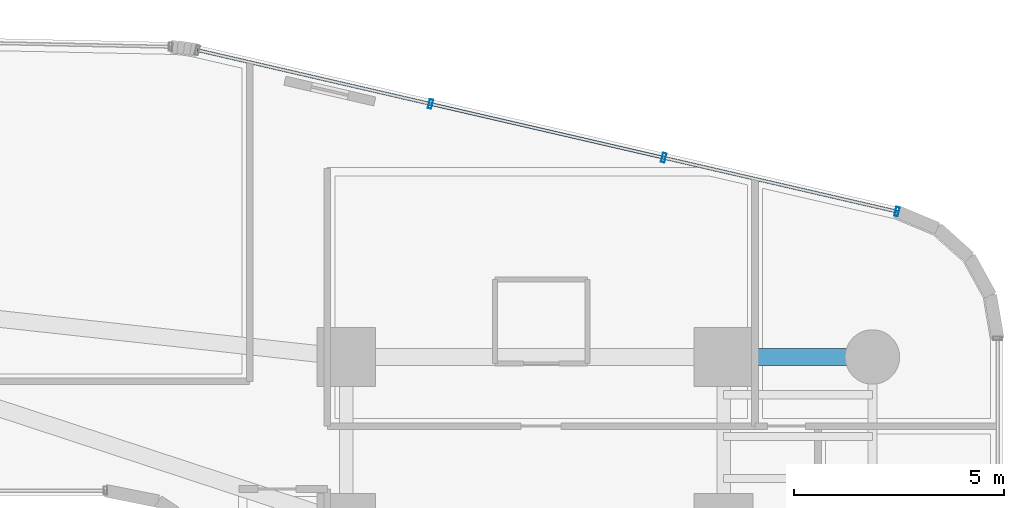
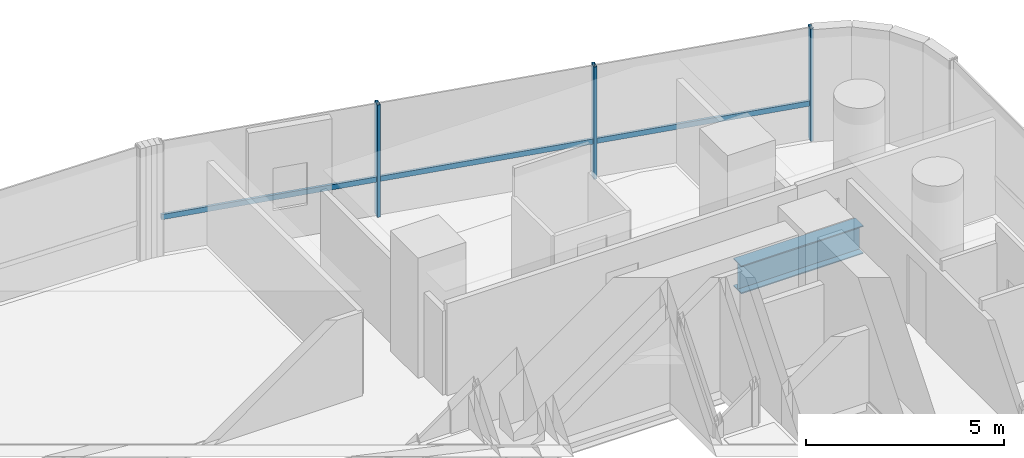
# One storey, part 24 of 40: 4 members, 1 beam, 1 element without a shape of its own.
"""IFC4 building model written with IfcOpenShell, lengths in metres."""

from ifc_helpers import new_model, si_unit, direction, frame, origin, origin_2d, place, context, subcontext, project, spatial, hollow_rectangle, i_section, extrude, source, transform, mapped, material, material_profile, profile_set, type_object, element, aggregate, save


model = new_model("IFC4")

# Units and contexts
model_context = context("Model", 3, precision=1e-05, world=origin(), true_north=direction((0.0, 1.0)))
body_context = subcontext(model_context, "Body", "Model", "MODEL_VIEW")
ifc_project = project(units=[si_unit("LENGTHUNIT", "METRE"), si_unit("AREAUNIT", "SQUARE_METRE"), si_unit("VOLUMEUNIT", "CUBIC_METRE"), si_unit("PLANEANGLEUNIT", "RADIAN"), si_unit("MASSUNIT", "GRAM", prefix="KILO")], contexts=[model_context])

# Site, building, storey
site_placement = place(None, origin())
site = spatial("IfcSite", under=ifc_project, at=site_placement, CompositionType="ELEMENT")
building_placement = place(site_placement, origin())
building = spatial("IfcBuilding", under=site, at=building_placement, Name="Valdorenza Pilgrim Sanctuary Tower", CompositionType="ELEMENT")
storey_placement = place(building_placement, frame((0.0, 0.0, 66.699951171875)))
storey = spatial("IfcBuildingStorey", under=building, at=storey_placement, Name="L16", CompositionType="ELEMENT", Elevation=66.699951171875)

# Beam
ifc_material_1 = material(Name="Steel ASTM A992 Grade 50", Category="steel")
ifc_material_profile_1 = material_profile(ifc_material_1, i_section(OverallWidth=0.39990234375, OverallDepth=0.862060546875, WebThickness=0.019775390625, FlangeThickness=0.032470703125, at=origin_2d()), Name="W33X221")
ifc_profile_set_1 = profile_set([ifc_material_profile_1], Name="Steel ASTM A992 Grade 50")
beam_type = type_object("IfcBeamType", Name="STR-BM-GRD-W33", PredefinedType="BEAM", material=ifc_profile_set_1)
shared_shape_1 = source(origin(), body_context, "Body", "SweptSolid", [
    extrude(i_section(OverallWidth=0.39990234375, OverallDepth=0.862060546875, WebThickness=0.019775390625, FlangeThickness=0.032470703125, at=origin_2d()), origin(), (0.0, 0.0, 1.0), 3.5498046875),
])
beam_placement = place(storey_placement, frame((24.85009765625, 13.5, -0.6708984375), z_axis=(1.0, 0.0, 0.0), x_axis=(0.0, 1.0, 0.0)))
element("IfcBeam", 1, at=beam_placement, inside=storey, type_object=beam_type, Name="L16 Floor Girder WB-XE-N2", PredefinedType="BEAM", context=body_context, shape_type="MappedRepresentation", body=[
    mapped(shared_shape_1, transform((0.0, 0.0, 0.0), x_axis=(1.0, 0.0, 0.0), y_axis=(0.0, 1.0, 0.0), z_axis=(0.0, 0.0, 1.0), scale=1.0)),
])

# Curtain wall, members
ifc_material_2 = material(Name="Curtain-wall IGU glazing", Category="glass")
curtain_wall_type = type_object("IfcCurtainWallType", Name="CW-SYS-03", PredefinedType="NOTDEFINED", material=ifc_material_2)
curtain_wall_placement = place(storey_placement, origin())
curtain_wall = element("IfcCurtainWall", 2, at=curtain_wall_placement, inside=storey, type_object=curtain_wall_type, Name="L16 Curtain Wall CW-L16-1-16", PredefinedType="NOTDEFINED")
ifc_material_3 = material(Name="Anodised aluminium AW-6060", Category="aluminium")
ifc_material_profile_2 = material_profile(ifc_material_3, hollow_rectangle(XDim=0.0849609375, YDim=0.219970703125, WallThickness=0.0048828125, at=origin_2d()), Name="ALU-M 220x85x5")
ifc_profile_set_2 = profile_set([ifc_material_profile_2], Name="Anodised aluminium AW-6060")
member_type_1 = type_object("IfcMemberType", Name="CW-MUL-03", PredefinedType="MULLION", material=ifc_profile_set_2)
shared_shape_2 = source(origin(), body_context, "Body", "SweptSolid", [
    extrude(hollow_rectangle(XDim=0.0849609375, YDim=0.219970703125, WallThickness=0.0048828125, at=origin_2d()), origin(), (0.0, 0.0, 1.0), 3.4599609375),
])
member_1_placement = place(storey_placement, frame((17.861328125, 19.534423828125, 0.0), z_axis=(0.0, 0.0, 1.0), x_axis=(0.974389691758, -0.224866023659, 0.0)))
member_1 = element("IfcMember", 3, at=member_1_placement, type_object=member_type_1, Name="CW-L16-1-16 Mullion 2", PredefinedType="MULLION", context=body_context, shape_type="MappedRepresentation", body=[
    mapped(shared_shape_2, transform((0.0, 0.0, 0.0), x_axis=(1.0, 0.0, 0.0), y_axis=(0.0, 1.0, 0.0), z_axis=(0.0, 0.0, 1.0), scale=1.0)),
])
member_2_placement = place(storey_placement, frame((23.423583984375, 18.2509765625, 0.0), z_axis=(0.0, 0.0, 1.0), x_axis=(0.974389691758, -0.224866023659, 0.0)))
member_2 = element("IfcMember", 4, at=member_2_placement, type_object=member_type_1, Name="CW-L16-1-16 Mullion 3", PredefinedType="MULLION", context=body_context, shape_type="MappedRepresentation", body=[
    mapped(shared_shape_2, transform((0.0, 0.0, 0.0), x_axis=(1.0, 0.0, 0.0), y_axis=(0.0, 1.0, 0.0), z_axis=(0.0, 0.0, 1.0), scale=1.0)),
])
member_3_placement = place(storey_placement, frame((28.98583984375, 16.96728515625, 0.0), z_axis=(0.0, 0.0, 1.0), x_axis=(0.974389691758, -0.224866023659, 0.0)))
member_3 = element("IfcMember", 5, at=member_3_placement, type_object=member_type_1, Name="CW-L16-1-16 Mullion 4", PredefinedType="MULLION", context=body_context, shape_type="MappedRepresentation", body=[
    mapped(shared_shape_2, transform((0.0, 0.0, 0.0), x_axis=(1.0, 0.0, 0.0), y_axis=(0.0, 1.0, 0.0), z_axis=(0.0, 0.0, 1.0), scale=1.0)),
])
ifc_material_profile_3 = material_profile(ifc_material_3, hollow_rectangle(XDim=0.074951171875, YDim=0.159912109375, WallThickness=0.00390625, at=origin_2d()), Name="ALU-T 160x75x4")
ifc_profile_set_3 = profile_set([ifc_material_profile_3], Name="Anodised aluminium AW-6060")
member_type_2 = type_object("IfcMemberType", Name="CW-TRN-03", PredefinedType="USERDEFINED", material=ifc_profile_set_3)
shared_shape_3 = source(origin(), body_context, "Body", "SweptSolid", [
    extrude(hollow_rectangle(XDim=0.074951171875, YDim=0.159912109375, WallThickness=0.00390625, at=origin_2d()), origin(), (0.0, 0.0, 1.0), 17.125244140625),
])
member_4_placement = place(storey_placement, frame((12.299072265625, 20.818115234375, 1.1201171875), z_axis=(0.974390715149, -0.224861589051, 0.0), x_axis=(0.224861589051, 0.974390715149, 0.0)))
member_4 = element("IfcMember", 6, at=member_4_placement, type_object=member_type_2, Name="CW-L16-1-16 Transom 1", ObjectType="TRANSOM", PredefinedType="USERDEFINED", context=body_context, shape_type="MappedRepresentation", body=[
    mapped(shared_shape_3, transform((0.0, 0.0, 0.0), x_axis=(1.0, 0.0, 0.0), y_axis=(0.0, 1.0, 0.0), z_axis=(0.0, 0.0, 1.0), scale=1.0)),
])
aggregate(curtain_wall, [member_1, member_2, member_3, member_4])

save(model, "model.ifc")
